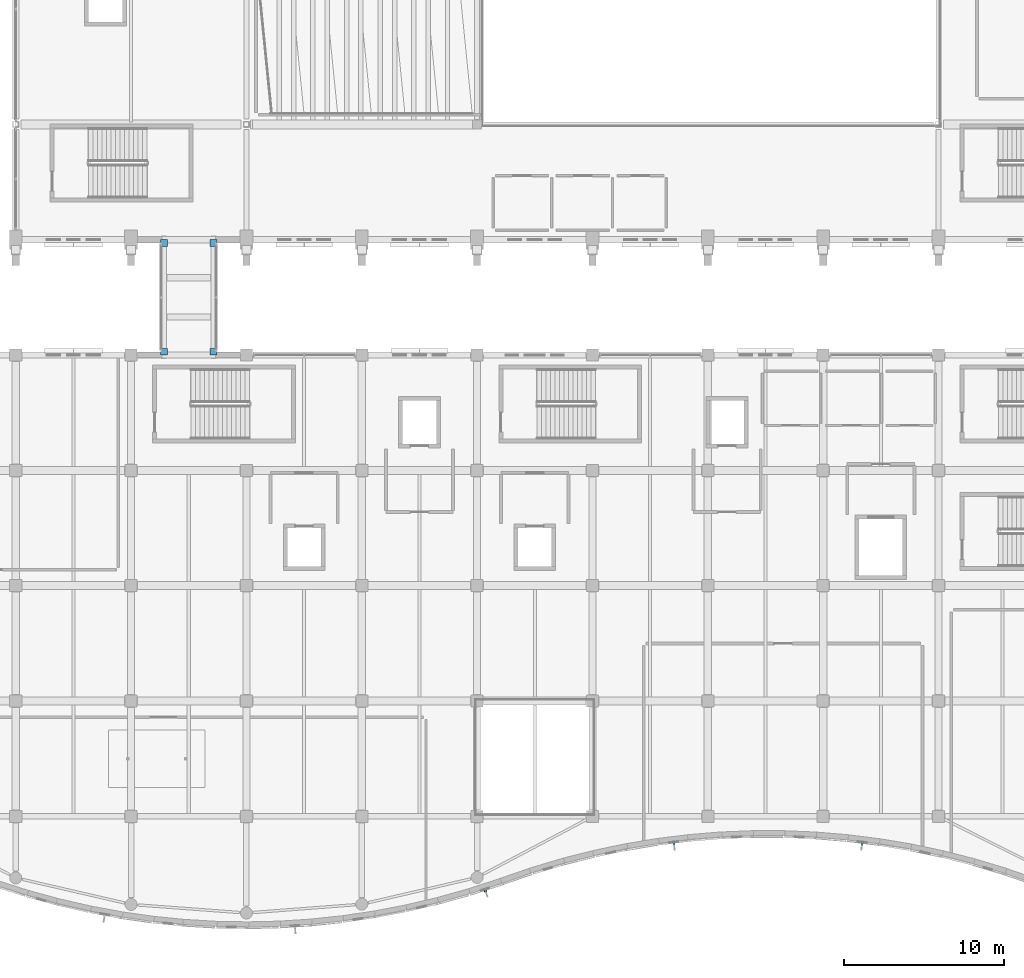
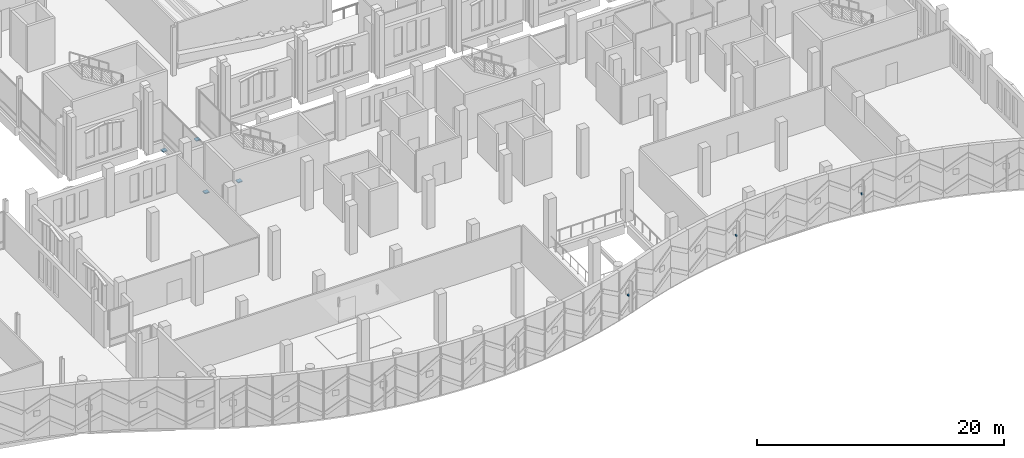
# One storey, part 160 of 193: 7 discrete accessories.
"""IFC4 building model written with IfcOpenShell, lengths in metres."""

from ifc_helpers import new_model, si_unit, direction, frame, origin, origin_2d, place, context, subcontext, project, spatial, rectangle, extrude, material, type_object, element, save


model = new_model("IFC4")

# Units and contexts
model_context = context("Model", 3, precision=1e-05, world=origin(), true_north=direction((0.0, 1.0)))
body_context = subcontext(model_context, "Body", "Model", "MODEL_VIEW")
ifc_project = project(units=[si_unit("LENGTHUNIT", "METRE"), si_unit("AREAUNIT", "SQUARE_METRE"), si_unit("VOLUMEUNIT", "CUBIC_METRE"), si_unit("PLANEANGLEUNIT", "RADIAN"), si_unit("MASSUNIT", "GRAM", prefix="KILO")], contexts=[model_context])

# Site, building, storey
site_placement = place(None, origin())
site = spatial("IfcSite", under=ifc_project, at=site_placement, CompositionType="ELEMENT")
building_placement = place(site_placement, origin())
building = spatial("IfcBuilding", under=site, at=building_placement, Name="Cendralis Lancet Convention Centre", CompositionType="ELEMENT")
storey_placement = place(building_placement, frame((0.0, 0.0, 10.199951171875)))
storey = spatial("IfcBuildingStorey", under=building, at=storey_placement, Name="L02", CompositionType="ELEMENT", Elevation=10.199951171875)

# Discrete accessories
ifc_material_1 = material(Name="Steel S355", Category="steel")
discrete_accessory_type_1 = type_object("IfcDiscreteAccessoryType", Name="ARC-BRK-FIN", PredefinedType="BRACKET", material=ifc_material_1)
for number, where, z_axis, x_axis, name in (
    (1, (168.510986328125, 2.578857421875, 1.93017578125), (0.0, 0.0, 1.0), (0.950737803638, 0.309996175353, 0.0), "Facade Fin Bracket BK-FIN #030"),
    (2, (180.2783203125, 5.5185546875, 1.93017578125), (0.0, 0.0, 1.0), (0.992471520713, 0.122475632571, 0.0), "Facade Fin Bracket BK-FIN #032"),
    (3, (192.029296875, 5.514404296875, 1.93017578125), (0.0, 0.0, 1.0), (0.992347031249, -0.123480239601, 0.0), "Facade Fin Bracket BK-FIN #034"),
):
    element("IfcDiscreteAccessory", number, at=place(storey_placement, frame(where, z_axis=z_axis, x_axis=x_axis)), inside=storey, type_object=discrete_accessory_type_1, Name=name, PredefinedType="BRACKET", context=body_context, shape_type="SweptSolid", body=[
        extrude(rectangle(XDim=0.139892578125, YDim=0.219970703125, at=origin_2d()), origin(), (0.0, 0.0, 1.0), 0.139892578125),
    ])
ifc_material_2 = material(Name="Elastomeric-PTFE sliding bridge bearing")
discrete_accessory_type_2 = type_object("IfcDiscreteAccessoryType", Name="STR-BRG-PTFE", PredefinedType="SHOE", material=ifc_material_2)
for number, where, z_axis, x_axis, name in (
    (4, (148.449951171875, 36.2099609375, -1.199951171875), (0.0, 0.0, 1.0), (1.0, 0.0, 0.0), "Unguided PTFE Sliding Bridge Bearing SB-PTFE #065"),
    (5, (148.449951171875, 42.989990234375, -1.199951171875), (0.0, 0.0, 1.0), (1.0, 0.0, 0.0), "Unguided PTFE Sliding Bridge Bearing SB-PTFE #066"),
    (6, (151.550048828125, 36.2099609375, -1.199951171875), (0.0, 0.0, 1.0), (1.0, 0.0, 0.0), "Unguided PTFE Sliding Bridge Bearing SB-PTFE #067"),
    (7, (151.550048828125, 42.989990234375, -1.199951171875), (0.0, 0.0, 1.0), (1.0, 0.0, 0.0), "Unguided PTFE Sliding Bridge Bearing SB-PTFE #068"),
):
    element("IfcDiscreteAccessory", number, at=place(storey_placement, frame(where, z_axis=z_axis, x_axis=x_axis)), inside=storey, type_object=discrete_accessory_type_2, Name=name, PredefinedType="SHOE", context=body_context, shape_type="SweptSolid", body=[
        extrude(rectangle(XDim=0.419921875, YDim=0.419921875, at=origin_2d()), origin(), (0.0, 0.0, 1.0), 0.080078125),
    ])

save(model, "model.ifc")
